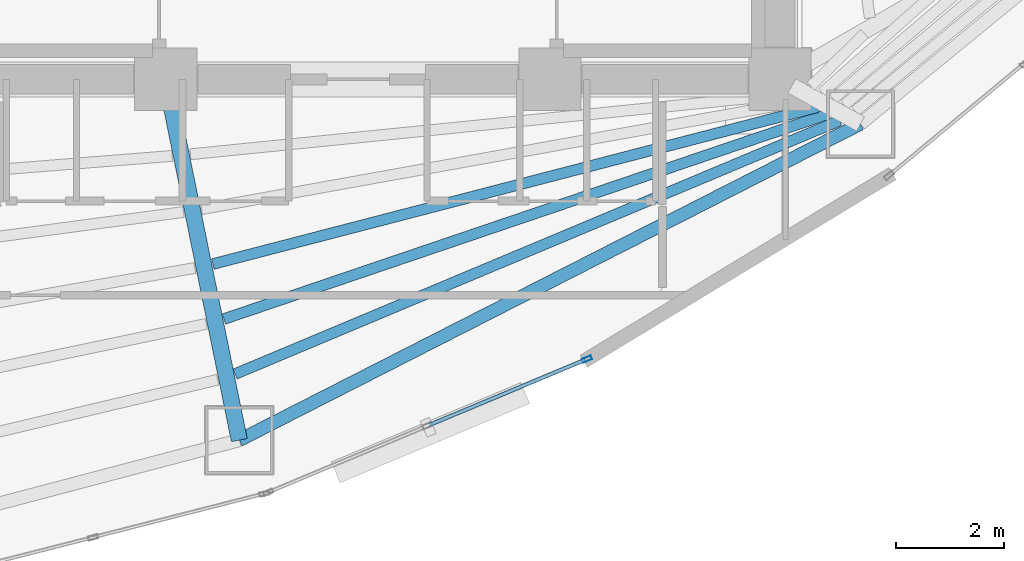
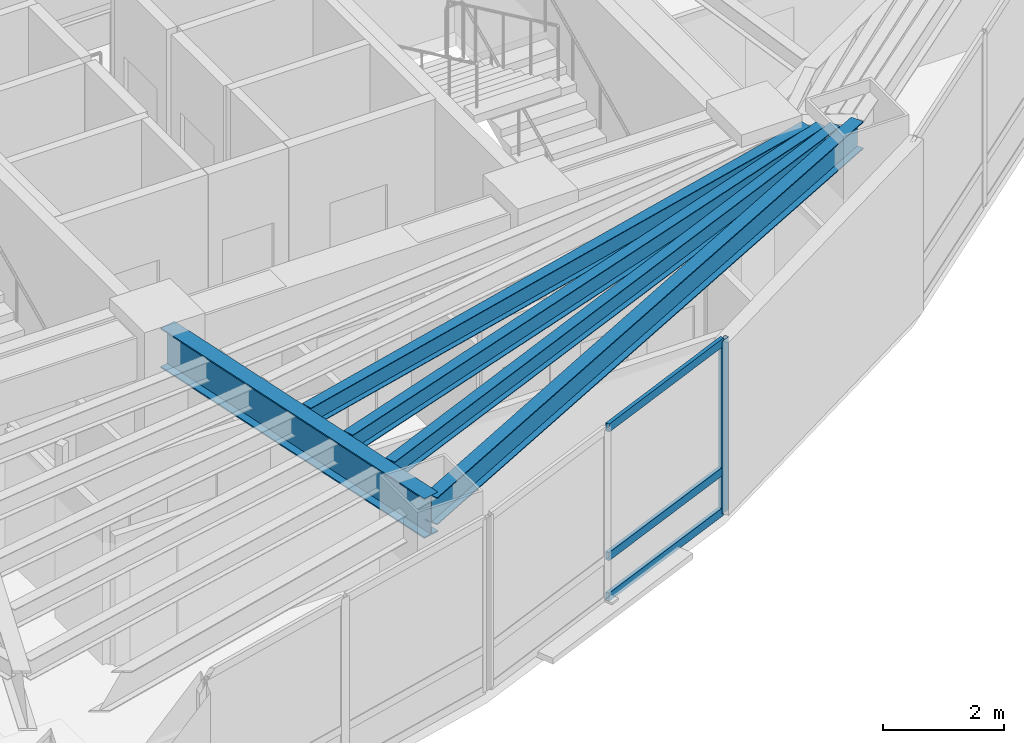
# One storey, part 6 of 23: 5 beams, 4 members, 1 element without a shape of its own.
"""IFC4 building model written with IfcOpenShell, lengths in metres."""

from ifc_helpers import new_model, si_unit, direction, frame, origin, origin_2d, place, context, subcontext, project, spatial, hollow_rectangle, i_section, extrude, material, layer, layer_set, material_profile, profile_set, type_object, element, aggregate, save


model = new_model("IFC4")

# Units and contexts
model_context = context("Model", 3, precision=1e-05, world=origin(), true_north=direction((0.0, 1.0)))
body_context = subcontext(model_context, "Body", "Model", "MODEL_VIEW")
ifc_project = project(units=[si_unit("LENGTHUNIT", "METRE"), si_unit("AREAUNIT", "SQUARE_METRE"), si_unit("VOLUMEUNIT", "CUBIC_METRE"), si_unit("PLANEANGLEUNIT", "RADIAN"), si_unit("MASSUNIT", "GRAM", prefix="KILO")], contexts=[model_context])

# Site, building, storey
site_placement = place(None, origin())
site = spatial("IfcSite", under=ifc_project, at=site_placement, CompositionType="ELEMENT")
building_placement = place(site_placement, origin())
building = spatial("IfcBuilding", under=site, at=building_placement, Name="Menara Vayukalpa", CompositionType="ELEMENT")
storey_placement = place(building_placement, frame((0.0, 0.0, 103.97998046875)))
storey = spatial("IfcBuildingStorey", under=building, at=storey_placement, Name="L25", CompositionType="ELEMENT", Elevation=103.97998046875)

# Beams
ifc_material_1 = material(Name="Steel S355", Category="steel")
ifc_material_profile_1 = material_profile(ifc_material_1, i_section(OverallWidth=0.300048828125, OverallDepth=0.800048828125, WebThickness=0.013916015625, FlangeThickness=0.02587890625, at=origin_2d()), Name="WF 800x300x14x26")
ifc_profile_set_1 = profile_set([ifc_material_profile_1], Name="Steel S355")
beam_type_1 = type_object("IfcBeamType", Name="BM-PG3", PredefinedType="BEAM", material=ifc_profile_set_1)
beam_1_placement = place(storey_placement, frame((22.099853515625, 16.955078125, 3.070068359375), z_axis=(0.199617728418, -0.9798738503, 0.0), x_axis=(0.9798738503, 0.199617728418, 0.0)))
element("IfcBeam", 1, at=beam_1_placement, inside=storey, type_object=beam_type_1, Name="L25 Primary Radial Girder RG08", PredefinedType="BEAM", context=body_context, shape_type="SweptSolid", body=[
    extrude(i_section(OverallWidth=0.300048828125, OverallDepth=0.800048828125, WebThickness=0.013916015625, FlangeThickness=0.02587890625, at=origin_2d()), origin(), (0.0, 0.0, 1.0), 6.55419921875),
])
ifc_material_2 = material(Name="Steel S355", Category="steel")
ifc_material_profile_2 = material_profile(ifc_material_2, i_section(OverallWidth=0.199951171875, OverallDepth=0.39990234375, WebThickness=0.008056640625, FlangeThickness=0.012939453125, at=origin_2d()), Name="WF 400x200x8x13")
ifc_profile_set_2 = profile_set([ifc_material_profile_2], Name="Steel S355")
beam_type_2 = type_object("IfcBeamType", Name="BM-SJ2", PredefinedType="JOIST", material=ifc_profile_set_2)
beam_2_placement = place(storey_placement, frame((22.918701171875, 13.78662109375, 3.27001953125), z_axis=(0.967921665574, 0.251252162802, 0.0), x_axis=(-0.251252162802, 0.967921665574, 0.0)))
element("IfcBeam", 2, at=beam_2_placement, inside=storey, type_object=beam_type_2, Name="L25 Secondary Floor Joist SJ08-3", PredefinedType="JOIST", context=body_context, shape_type="SweptSolid", body=[
    extrude(i_section(OverallWidth=0.199951171875, OverallDepth=0.39990234375, WebThickness=0.008056640625, FlangeThickness=0.012939453125, at=origin_2d()), origin(), (0.0, 0.0, 1.0), 11.539794921875),
])
beam_3_placement = place(storey_placement, frame((23.12451171875, 12.77099609375, 3.27001953125), z_axis=(0.94694934653, 0.321382848183, 0.0), x_axis=(-0.321382848183, 0.94694934653, 0.0)))
element("IfcBeam", 3, at=beam_3_placement, inside=storey, type_object=beam_type_2, Name="L25 Secondary Floor Joist SJ08-4", PredefinedType="JOIST", context=body_context, shape_type="SweptSolid", body=[
    extrude(i_section(OverallWidth=0.199951171875, OverallDepth=0.39990234375, WebThickness=0.008056640625, FlangeThickness=0.012939453125, at=origin_2d()), origin(), (0.0, 0.0, 1.0), 11.7958984375),
])
beam_4_placement = place(storey_placement, frame((23.32958984375, 11.75439453125, 3.27001953125), z_axis=(0.922216637658, 0.386673600375, 0.0), x_axis=(-0.386673600375, 0.922216637658, 0.0)))
element("IfcBeam", 4, at=beam_4_placement, inside=storey, type_object=beam_type_2, Name="L25 Secondary Floor Joist SJ08-5", PredefinedType="JOIST", context=body_context, shape_type="SweptSolid", body=[
    extrude(i_section(OverallWidth=0.199951171875, OverallDepth=0.39990234375, WebThickness=0.008056640625, FlangeThickness=0.012939453125, at=origin_2d()), origin(), (0.0, 0.0, 1.0), 12.114501953125),
])
ifc_material_3 = material(Name="Steel S355", Category="steel")
ifc_material_profile_3 = material_profile(ifc_material_3, i_section(OverallWidth=0.239990234375, OverallDepth=0.550048828125, WebThickness=0.010986328125, FlangeThickness=0.01904296875, at=origin_2d()), Name="WF 550x240x11x19")
ifc_profile_set_3 = profile_set([ifc_material_profile_3], Name="Steel S355")
beam_type_3 = type_object("IfcBeamType", Name="BM-SP2", PredefinedType="SPANDREL", material=ifc_profile_set_3)
beam_5_placement = place(storey_placement, frame((23.408203125, 10.53271484375, 3.195068359375), z_axis=(0.891097345221, 0.453812209333, 0.0), x_axis=(-0.453812209333, 0.891097345221, 0.0)))
element("IfcBeam", 5, at=beam_5_placement, inside=storey, type_object=beam_type_3, Name="L25 Perimeter Spandrel Beam SP08", PredefinedType="SPANDREL", context=body_context, shape_type="SweptSolid", body=[
    extrude(i_section(OverallWidth=0.239990234375, OverallDepth=0.550048828125, WebThickness=0.010986328125, FlangeThickness=0.01904296875, at=origin_2d()), origin(), (0.0, 0.0, 1.0), 12.88134765625),
])

# Curtain wall, members
ifc_material_4 = material(Name="Anodised Terracotta Aluminium Alloy 6063-T6", Category="masonry")
ifc_layer = layer(ifc_material_4, 0.179931640625)
ifc_layer_set = layer_set([ifc_layer], Name="Anodised Terracotta Aluminium Alloy 6063-T6")
curtain_wall_type = type_object("IfcCurtainWallType", Name="CW-CW4", PredefinedType="USERDEFINED", material=ifc_layer_set)
curtain_wall_placement = place(storey_placement, origin())
curtain_wall = element("IfcCurtainWall", 6, at=curtain_wall_placement, inside=storey, type_object=curtain_wall_type, Name="L25 Sky Bar Cantilever Glazed Curtain Wall CW4 17", ObjectType="UNITISED", PredefinedType="USERDEFINED")
ifc_material_5 = material(Name="Anodised Terracotta Aluminium Alloy 6063-T6", Category="masonry")
ifc_material_profile_4 = material_profile(ifc_material_5, hollow_rectangle(XDim=0.074951171875, YDim=0.179931640625, WallThickness=0.00390625, at=origin_2d()), Name="ALU 75x180x4")
ifc_profile_set_4 = profile_set([ifc_material_profile_4], Name="Anodised Terracotta Aluminium Alloy 6063-T6")
member_type_1 = type_object("IfcMemberType", Name="CWM-CW4", PredefinedType="MULLION", material=ifc_profile_set_4)
member_1_placement = place(storey_placement, frame((29.831298828125, 12.0302734375, 0.0), z_axis=(0.0, 0.0, 1.0), x_axis=(-0.38589358437, 0.922543300632, 0.0)))
member_1 = element("IfcMember", 7, at=member_1_placement, type_object=member_type_1, Name="CW4 mullion 3", PredefinedType="MULLION", context=body_context, shape_type="SweptSolid", body=[
    extrude(hollow_rectangle(XDim=0.074951171875, YDim=0.179931640625, WallThickness=0.00390625, at=origin_2d()), origin(), (0.0, 0.0, 1.0), 3.469970703125),
])
ifc_material_6 = material(Name="Anodised Terracotta Aluminium Alloy 6063-T6", Category="masonry")
ifc_material_profile_5 = material_profile(ifc_material_6, hollow_rectangle(XDim=0.070068359375, YDim=0.1650390625, WallThickness=0.00390625, at=origin_2d()), Name="ALU 70x165x4")
ifc_profile_set_5 = profile_set([ifc_material_profile_5], Name="Anodised Terracotta Aluminium Alloy 6063-T6")
member_type_2 = type_object("IfcMemberType", Name="CWT-CW4", PredefinedType="USERDEFINED", material=ifc_profile_set_5)
member_2_placement = place(storey_placement, frame((26.921142578125, 10.81298828125, 0.034912109375), z_axis=(0.922533742775, 0.385916433236, 0.0), x_axis=(-0.385916433236, 0.922533742775, 0.0)))
member_2 = element("IfcMember", 8, at=member_2_placement, type_object=member_type_2, Name="CW4 transom 2.1", ObjectType="TRANSOM", PredefinedType="USERDEFINED", context=body_context, shape_type="SweptSolid", body=[
    extrude(hollow_rectangle(XDim=0.070068359375, YDim=0.1650390625, WallThickness=0.00390625, at=origin_2d()), origin(), (0.0, 0.0, 1.0), 3.116943359375),
])
member_3_placement = place(storey_placement, frame((26.921142578125, 10.81298828125, 0.85009765625), z_axis=(0.922533742775, 0.385916433236, 0.0), x_axis=(-0.385916433236, 0.922533742775, 0.0)))
member_3 = element("IfcMember", 9, at=member_3_placement, type_object=member_type_2, Name="CW4 transom 2.2", ObjectType="TRANSOM", PredefinedType="USERDEFINED", context=body_context, shape_type="SweptSolid", body=[
    extrude(hollow_rectangle(XDim=0.070068359375, YDim=0.1650390625, WallThickness=0.00390625, at=origin_2d()), origin(), (0.0, 0.0, 1.0), 3.116943359375),
])
member_4_placement = place(storey_placement, frame((26.921142578125, 10.81298828125, 3.43505859375), z_axis=(0.922533742775, 0.385916433236, 0.0), x_axis=(-0.385916433236, 0.922533742775, 0.0)))
member_4 = element("IfcMember", 10, at=member_4_placement, type_object=member_type_2, Name="CW4 transom 2.3", ObjectType="TRANSOM", PredefinedType="USERDEFINED", context=body_context, shape_type="SweptSolid", body=[
    extrude(hollow_rectangle(XDim=0.070068359375, YDim=0.1650390625, WallThickness=0.00390625, at=origin_2d()), origin(), (0.0, 0.0, 1.0), 3.116943359375),
])
aggregate(curtain_wall, [member_1, member_2, member_3, member_4])

save(model, "model.ifc")
